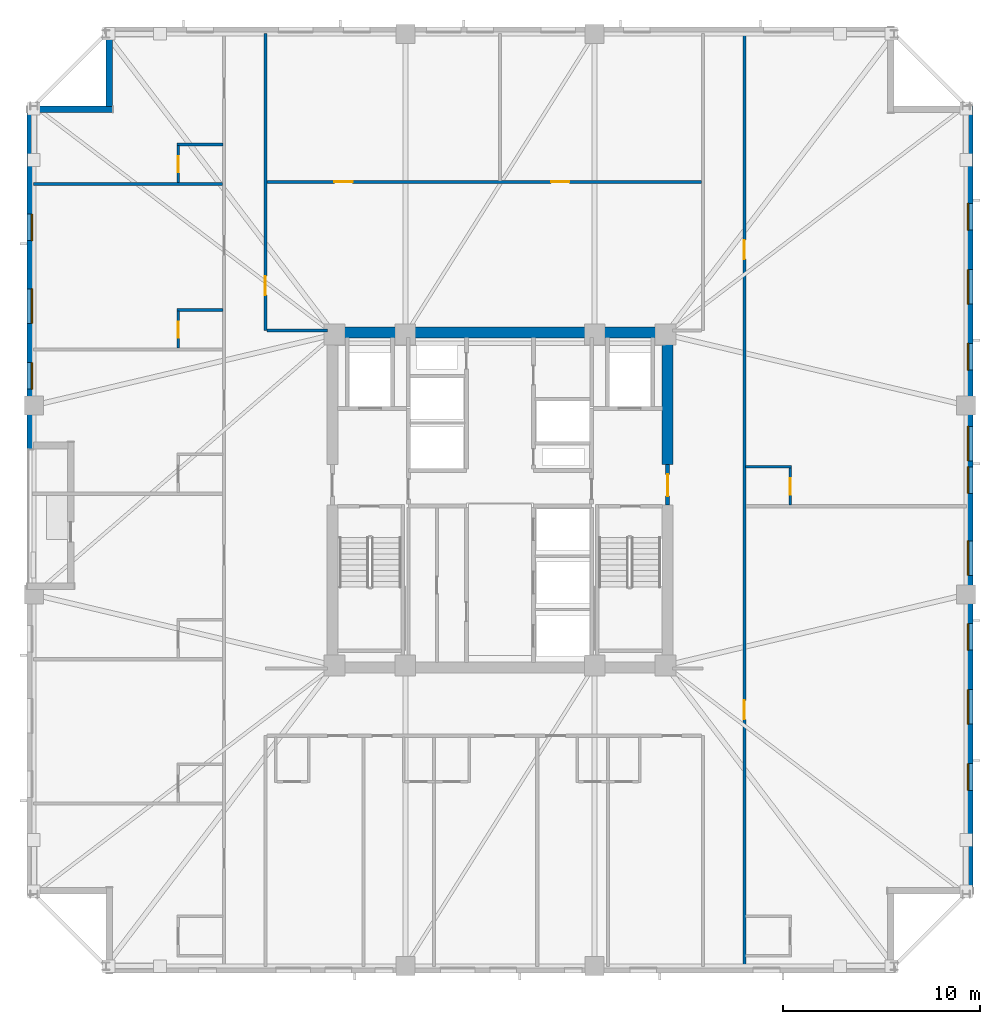
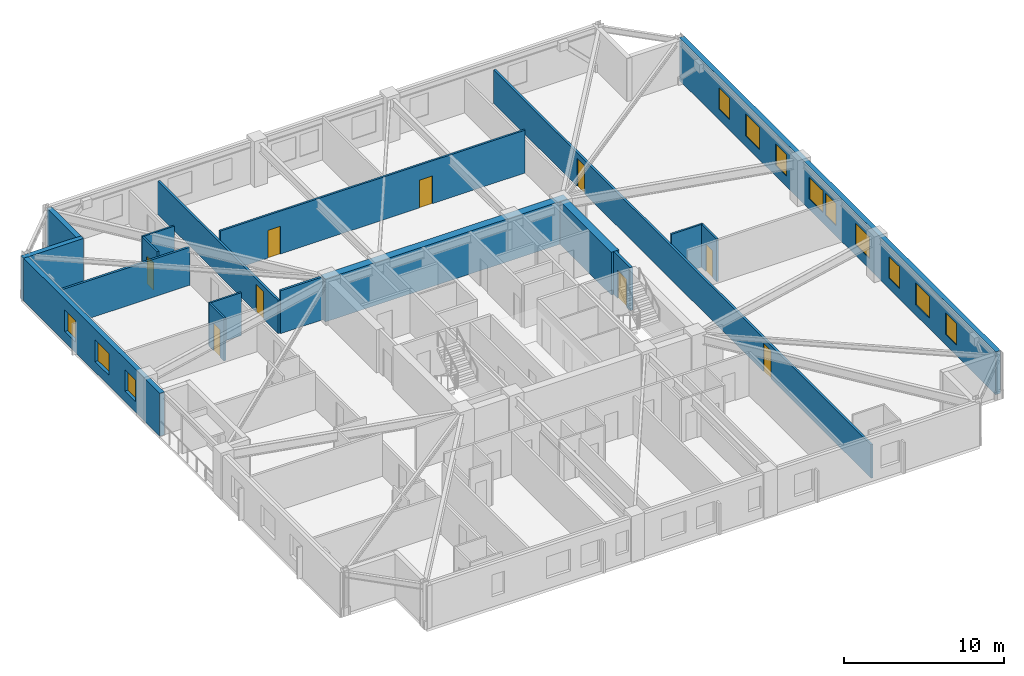
# One storey, part 5 of 11: 18 walls, 12 windows, 9 doors, 21 openings.
"""IFC4 building model written with IfcOpenShell, lengths in metres."""

from ifc_helpers import new_model, si_unit, direction, frame, frame_2d, origin, place, context, subcontext, project, spatial, rectangle, extrude, material, layer, layer_set, type_object, element, fill, save


model = new_model("IFC4")

# Units and contexts
model_context = context("Model", 3, precision=1e-05, world=origin(), true_north=direction((0.0, 1.0)))
body_context = subcontext(model_context, "Body", "Model", "MODEL_VIEW")
ifc_project = project(units=[si_unit("LENGTHUNIT", "METRE"), si_unit("AREAUNIT", "SQUARE_METRE"), si_unit("VOLUMEUNIT", "CUBIC_METRE"), si_unit("PLANEANGLEUNIT", "RADIAN"), si_unit("MASSUNIT", "GRAM", prefix="KILO")], contexts=[model_context])

# Site, building, storey
site_placement = place(None, origin())
site = spatial("IfcSite", under=ifc_project, at=site_placement, CompositionType="ELEMENT")
building_placement = place(site_placement, origin())
building = spatial("IfcBuilding", under=site, at=building_placement, Name="Cairnveth Concourse Tower", CompositionType="ELEMENT")
storey_placement = place(building_placement, frame((0.0, 0.0, 120.0)))
storey = spatial("IfcBuildingStorey", under=building, at=storey_placement, Name="L32", CompositionType="ELEMENT", Elevation=120.0)

# Wall, opening, door
ifc_material_1 = material(Name="Gypsum Plasterboard Partition", Category="gypsum")
ifc_layer_1 = layer(ifc_material_1, 0.159912109375)
ifc_layer_set_1 = layer_set([ifc_layer_1], Name="Gypsum Plasterboard Partition")
wall_type_1 = type_object("IfcWallType", Name="ACOUSTIC PARTY WALL 180", PredefinedType="PARTITIONING", material=ifc_layer_set_1)
wall_1_placement = place(storey_placement, frame((40.10009765625, 47.60009765625, 0.0), z_axis=(0.0, 0.0, 1.0), x_axis=(0.0, 1.0, 0.0)))
wall_1 = element("IfcWall", 1, at=wall_1_placement, inside=storey, type_object=wall_type_1, Name="Interior Wall IW-L32-038", PredefinedType="PARTITIONING", context=body_context, shape_type="SweptSolid", body=[
    extrude(rectangle(XDim=15.074951171875, YDim=0.159912109375, at=frame_2d((7.53759765625, 0.0))), origin(), (0.0, 0.0, 1.0), 2.554931640625),
])
opening_1_placement = place(wall_1_placement, frame((1.800048828125, 0.0, 0.0)))
opening_1 = element("IfcOpeningElement", 2, at=opening_1_placement, cuts=wall_1, Name="Opening ID11", PredefinedType="OPENING", context=body_context, shape_type="SweptSolid", body=[
    extrude(rectangle(XDim=0.9599609375, YDim=2.1201171875, at=frame_2d((0.47998046875, 1.06005859375))), frame((0.0, 0.08984375, 0.0), z_axis=(0.0, -1.0, 0.0), x_axis=(1.0, 0.0, 0.0)), (0.0, 0.0, 1.0), 0.179931640625),
])
ifc_material_2 = material(Name="Solid Core Hardwood Timber Leaf", Category="wood")
door_type_1 = type_object("IfcDoorType", Name="INTERIOR SINGLE DOOR 960X2150", OperationType="NOTDEFINED", PredefinedType="DOOR", material=ifc_material_2)
door_1_placement = place(opening_1_placement, origin())
door_1 = element("IfcDoor", 3, at=door_1_placement, inside=storey, type_object=door_type_1, Name="Interior Door DR-L32-015", OperationType="SINGLE_SWING_LEFT", OverallHeight=2.1201171875, OverallWidth=0.9599609375, PredefinedType="DOOR", context=body_context, shape_type="SweptSolid", body=[
    extrude(rectangle(XDim=0.9599609375, YDim=2.1201171875, at=frame_2d((0.47998046875, 1.06005859375))), frame((0.0, 0.02490234375, 0.0), z_axis=(0.0, -1.0, 0.0), x_axis=(1.0, 0.0, 0.0)), (0.0, 0.0, 1.0), 0.050048828125),
])
fill(opening_1, door_1)

# Wall
wall_2_placement = place(storey_placement, frame((40.1650390625, 47.60009765625, 0.0), z_axis=(0.0, 0.0, 1.0), x_axis=(1.0, 0.0, 0.0)))
element("IfcWall", 4, at=wall_2_placement, inside=storey, type_object=wall_type_1, Name="Interior Wall IW-L32-040", PredefinedType="PARTITIONING", context=body_context, shape_type="SweptSolid", body=[
    extrude(rectangle(XDim=3.070068359375, YDim=0.159912109375, at=frame_2d((1.53515625, 0.0))), origin(), (0.0, 0.0, 1.0), 3.280029296875),
])

# Wall, openings, doors
wall_3_placement = place(storey_placement, frame((64.39990234375, 15.324951171875, 0.0), z_axis=(0.0, 0.0, 1.0), x_axis=(0.0, 1.0, 0.0)))
wall_3 = element("IfcWall", 5, at=wall_3_placement, inside=storey, type_object=wall_type_1, Name="Interior Wall IW-L32-041", PredefinedType="PARTITIONING", context=body_context, shape_type="SweptSolid", body=[
    extrude(rectangle(XDim=47.35009765625, YDim=0.159912109375, at=frame_2d((23.675048828125, 0.0))), origin(), (0.0, 0.0, 1.0), 2.554931640625),
])
opening_2_placement = place(wall_3_placement, frame((12.546630859375, 0.0, 0.0)))
opening_2 = element("IfcOpeningElement", 6, at=opening_2_placement, cuts=wall_3, Name="Opening ID09", PredefinedType="OPENING", context=body_context, shape_type="SweptSolid", body=[
    extrude(rectangle(XDim=0.9599609375, YDim=2.14990234375, at=frame_2d((0.47998046875, 1.074951171875))), frame((0.0, 0.08984375, 0.0), z_axis=(0.0, -1.0, 0.0), x_axis=(1.0, 0.0, 0.0)), (0.0, 0.0, 1.0), 0.179931640625),
])
opening_3_placement = place(wall_3_placement, frame((35.901611328125, 0.0, 0.0)))
opening_3 = element("IfcOpeningElement", 7, at=opening_3_placement, cuts=wall_3, Name="Opening ID09", PredefinedType="OPENING", context=body_context, shape_type="SweptSolid", body=[
    extrude(rectangle(XDim=0.9599609375, YDim=2.14990234375, at=frame_2d((0.47998046875, 1.074951171875))), frame((0.0, 0.08984375, 0.0), z_axis=(0.0, -1.0, 0.0), x_axis=(1.0, 0.0, 0.0)), (0.0, 0.0, 1.0), 0.179931640625),
])
door_type_2 = type_object("IfcDoorType", Name="HOTEL ENTRANCE DOOR 960X2150", OperationType="NOTDEFINED", PredefinedType="DOOR", material=ifc_material_2)
door_2_placement = place(opening_2_placement, origin())
door_2 = element("IfcDoor", 8, at=door_2_placement, inside=storey, type_object=door_type_2, Name="Hotel Room Door L32-E1", OperationType="SINGLE_SWING_LEFT", OverallHeight=2.14990234375, OverallWidth=0.9599609375, PredefinedType="DOOR", context=body_context, shape_type="SweptSolid", body=[
    extrude(rectangle(XDim=0.9599609375, YDim=2.14990234375, at=frame_2d((0.47998046875, 1.074951171875))), frame((0.0, 0.02490234375, 0.0), z_axis=(0.0, -1.0, 0.0), x_axis=(1.0, 0.0, 0.0)), (0.0, 0.0, 1.0), 0.050048828125),
])
fill(opening_2, door_2)
door_3_placement = place(opening_3_placement, origin())
door_3 = element("IfcDoor", 9, at=door_3_placement, inside=storey, type_object=door_type_2, Name="Hotel Room Door L32-E2", OperationType="SINGLE_SWING_LEFT", OverallHeight=2.14990234375, OverallWidth=0.9599609375, PredefinedType="DOOR", context=body_context, shape_type="SweptSolid", body=[
    extrude(rectangle(XDim=0.9599609375, YDim=2.14990234375, at=frame_2d((0.47998046875, 1.074951171875))), frame((0.0, 0.02490234375, 0.0), z_axis=(0.0, -1.0, 0.0), x_axis=(1.0, 0.0, 0.0)), (0.0, 0.0, 1.0), 0.050048828125),
])
fill(opening_3, door_3)

# Walls
wall_4_placement = place(storey_placement, frame((28.324951171875, 55.036865234375, 0.0), z_axis=(0.0, 0.0, 1.0), x_axis=(1.0, 0.0, 0.0)))
element("IfcWall", 10, at=wall_4_placement, inside=storey, type_object=wall_type_1, Name="Interior Wall IW-L32-079", PredefinedType="PARTITIONING", context=body_context, shape_type="SweptSolid", body=[
    extrude(rectangle(XDim=9.594970703125, YDim=0.159912109375, at=frame_2d((4.79736328125, 0.0))), origin(), (0.0, 0.0, 1.0), 2.89599609375),
])
ifc_material_3 = material(Name="Concrete N80 (80 MPa)", Category="concrete")
ifc_layer_2 = layer(ifc_material_3, 0.550048828125)
ifc_layer_set_2 = layer_set([ifc_layer_2], Name="Concrete N80 (80 MPa)")
wall_type_2 = type_object("IfcWallType", Name="CORE SHEAR WALL 550", PredefinedType="SHEAR", material=ifc_layer_set_2)
wall_5_placement = place(storey_placement, frame((43.22509765625, 47.5, 0.0), z_axis=(0.0, 0.0, 1.0), x_axis=(1.0, 0.0, 0.0)))
element("IfcWall", 11, at=wall_5_placement, inside=storey, type_object=wall_type_2, Name="Core North Shear Wall L32", PredefinedType="SHEAR", context=body_context, shape_type="SweptSolid", body=[
    extrude(rectangle(XDim=17.5498046875, YDim=0.550048828125, at=frame_2d((8.77490234375, 0.0))), origin(), (0.0, 0.0, 1.0), 3.280029296875),
])
wall_6_placement = place(storey_placement, frame((60.5, 40.800048828125, 0.0), z_axis=(0.0, 0.0, 1.0), x_axis=(0.0, 1.0, 0.0)))
element("IfcWall", 12, at=wall_6_placement, inside=storey, type_object=wall_type_2, Name="Core East Shear Wall N L32", PredefinedType="SHEAR", context=body_context, shape_type="SweptSolid", body=[
    extrude(rectangle(XDim=6.43505859375, YDim=0.550048828125, at=frame_2d((3.217529296875, 0.0))), origin(), (0.0, 0.0, 1.0), 3.280029296875),
])

# Wall, opening, door
ifc_material_4 = material(Name="Concrete N50 (50 MPa)", Category="concrete")
ifc_layer_3 = layer(ifc_material_4, 0.199951171875)
ifc_layer_set_3 = layer_set([ifc_layer_3], Name="Concrete N50 (50 MPa)")
wall_type_3 = type_object("IfcWallType", Name="FIRE SHAFT WALL 200", PredefinedType="SOLIDWALL", material=ifc_layer_set_3)
wall_7_placement = place(storey_placement, frame((60.5, 38.75, 0.0), z_axis=(0.0, 0.0, 1.0), x_axis=(0.0, 1.0, 0.0)))
wall_7 = element("IfcWall", 13, at=wall_7_placement, inside=storey, type_object=wall_type_3, Name="Interior Wall IW-L32-020", PredefinedType="SOLIDWALL", context=body_context, shape_type="SweptSolid", body=[
    extrude(rectangle(XDim=2.050048828125, YDim=0.199951171875, at=frame_2d((1.02490234375, 0.0))), origin(), (0.0, 0.0, 1.0), 3.280029296875),
])
opening_4_placement = place(wall_7_placement, frame((0.449951171875, 0.0, 0.0)))
opening_4 = element("IfcOpeningElement", 14, at=opening_4_placement, cuts=wall_7, Name="Opening ID06", PredefinedType="OPENING", context=body_context, shape_type="SweptSolid", body=[
    extrude(rectangle(XDim=1.10009765625, YDim=2.14990234375, at=frame_2d((0.550048828125, 1.074951171875))), frame((0.0, 0.10986328125, 0.0), z_axis=(0.0, -1.0, 0.0), x_axis=(1.0, 0.0, 0.0)), (0.0, 0.0, 1.0), 0.219970703125),
])
ifc_material_5 = material(Name="Steel Grade 350", Category="steel")
door_type_3 = type_object("IfcDoorType", Name="FIRE CORRIDOR DOOR 1100X2150", OperationType="NOTDEFINED", PredefinedType="DOOR", material=ifc_material_5)
door_4_placement = place(opening_4_placement, origin())
door_4 = element("IfcDoor", 15, at=door_4_placement, inside=storey, type_object=door_type_3, Name="East Wing to FF Lobby Door L32", OperationType="SINGLE_SWING_RIGHT", OverallHeight=2.14990234375, OverallWidth=1.10009765625, PredefinedType="DOOR", context=body_context, shape_type="SweptSolid", body=[
    extrude(rectangle(XDim=1.10009765625, YDim=2.14990234375, at=frame_2d((0.550048828125, 1.074951171875))), frame((0.0, 0.02490234375, 0.0), z_axis=(0.0, -1.0, 0.0), x_axis=(1.0, 0.0, 0.0)), (0.0, 0.0, 1.0), 0.050048828125),
])
fill(opening_4, door_4)

# Wall, openings, doors
ifc_layer_4 = layer(ifc_material_1, 0.139892578125)
ifc_layer_set_4 = layer_set([ifc_layer_4], Name="Gypsum Plasterboard Partition")
wall_type_4 = type_object("IfcWallType", Name="GYPSUM STUD PARTITION 140", PredefinedType="PARTITIONING", material=ifc_layer_set_4)
wall_8_placement = place(storey_placement, frame((40.1650390625, 55.139892578125, 0.0), z_axis=(0.0, 0.0, 1.0), x_axis=(1.0, 0.0, 0.0)))
wall_8 = element("IfcWall", 16, at=wall_8_placement, inside=storey, type_object=wall_type_4, Name="Interior Wall IW-L32-047", PredefinedType="PARTITIONING", context=body_context, shape_type="SweptSolid", body=[
    extrude(rectangle(XDim=22.070068359375, YDim=0.139892578125, at=frame_2d((11.03515625, 0.0))), origin(), (0.0, 0.0, 1.0), 3.280029296875),
])
opening_5_placement = place(wall_8_placement, frame((3.43505859375, 0.0, 0.0)))
opening_5 = element("IfcOpeningElement", 17, at=opening_5_placement, cuts=wall_8, Name="Opening ID15", PredefinedType="OPENING", context=body_context, shape_type="SweptSolid", body=[
    extrude(rectangle(XDim=0.919921875, YDim=2.1201171875, at=frame_2d((0.4599609375, 1.06005859375))), frame((0.0, 0.079833984375, 0.0), z_axis=(0.0, -1.0, 0.0), x_axis=(1.0, 0.0, 0.0)), (0.0, 0.0, 1.0), 0.159912109375),
])
opening_6_placement = place(wall_8_placement, frame((14.43505859375, 0.0, 0.0)))
opening_6 = element("IfcOpeningElement", 18, at=opening_6_placement, cuts=wall_8, Name="Opening ID15", PredefinedType="OPENING", context=body_context, shape_type="SweptSolid", body=[
    extrude(rectangle(XDim=0.919921875, YDim=2.1201171875, at=frame_2d((0.4599609375, 1.06005859375))), frame((0.0, 0.079833984375, 0.0), z_axis=(0.0, -1.0, 0.0), x_axis=(1.0, 0.0, 0.0)), (0.0, 0.0, 1.0), 0.159912109375),
])
door_type_4 = type_object("IfcDoorType", Name="INTERIOR SINGLE DOOR 920X2100", OperationType="NOTDEFINED", PredefinedType="DOOR", material=ifc_material_2)
door_5_placement = place(opening_5_placement, origin())
door_5 = element("IfcDoor", 19, at=door_5_placement, inside=storey, type_object=door_type_4, Name="Interior Door DR-L32-016", OperationType="SINGLE_SWING_RIGHT", OverallHeight=2.1201171875, OverallWidth=0.919921875, PredefinedType="DOOR", context=body_context, shape_type="SweptSolid", body=[
    extrude(rectangle(XDim=0.919921875, YDim=2.1201171875, at=frame_2d((0.4599609375, 1.06005859375))), frame((0.0, 0.02490234375, 0.0), z_axis=(0.0, -1.0, 0.0), x_axis=(1.0, 0.0, 0.0)), (0.0, 0.0, 1.0), 0.050048828125),
])
fill(opening_5, door_5)
door_6_placement = place(opening_6_placement, origin())
door_6 = element("IfcDoor", 20, at=door_6_placement, inside=storey, type_object=door_type_4, Name="Interior Door DR-L32-017", OperationType="SINGLE_SWING_LEFT", OverallHeight=2.1201171875, OverallWidth=0.919921875, PredefinedType="DOOR", context=body_context, shape_type="SweptSolid", body=[
    extrude(rectangle(XDim=0.919921875, YDim=2.1201171875, at=frame_2d((0.4599609375, 1.06005859375))), frame((0.0, 0.02490234375, 0.0), z_axis=(0.0, -1.0, 0.0), x_axis=(1.0, 0.0, 0.0)), (0.0, 0.0, 1.0), 0.050048828125),
])
fill(opening_6, door_6)

# Wall
ifc_layer_5 = layer(ifc_material_1, 0.1298828125)
ifc_layer_set_5 = layer_set([ifc_layer_5], Name="Gypsum Plasterboard Partition")
wall_type_5 = type_object("IfcWallType", Name="WET AREA PARTITION 140", PredefinedType="PLUMBINGWALL", material=ifc_layer_set_5)
wall_9_placement = place(storey_placement, frame((35.6201171875, 48.640625, 0.0), z_axis=(0.0, 0.0, 1.0), x_axis=(1.0, 0.0, 0.0)))
element("IfcWall", 21, at=wall_9_placement, inside=storey, type_object=wall_type_5, Name="Interior Wall IW-L32-077", PredefinedType="PLUMBINGWALL", context=body_context, shape_type="SweptSolid", body=[
    extrude(rectangle(XDim=2.31494140625, YDim=0.1298828125, at=frame_2d((1.157470703125, 0.0))), origin(), (0.0, 0.0, 1.0), 3.280029296875),
])

# Wall, opening, door
wall_10_placement = place(storey_placement, frame((35.669921875, 46.70556640625, 0.0), z_axis=(0.0, 0.0, 1.0), x_axis=(0.0, 1.0, 0.0)))
wall_10 = element("IfcWall", 22, at=wall_10_placement, inside=storey, type_object=wall_type_5, Name="Interior Wall IW-L32-078", PredefinedType="PLUMBINGWALL", context=body_context, shape_type="SweptSolid", body=[
    extrude(rectangle(XDim=1.885009765625, YDim=0.1298828125, at=frame_2d((0.9423828125, 0.0))), origin(), (0.0, 0.0, 1.0), 3.280029296875),
])
opening_7_placement = place(wall_10_placement, frame((0.52490234375, 0.0, 0.0)))
opening_7 = element("IfcOpeningElement", 23, at=opening_7_placement, cuts=wall_10, Name="Opening ID22", PredefinedType="OPENING", context=body_context, shape_type="SweptSolid", body=[
    extrude(rectangle(XDim=0.820068359375, YDim=2.10009765625, at=frame_2d((0.41015625, 1.050048828125))), frame((0.0, 0.074951171875, 0.0), z_axis=(0.0, -1.0, 0.0), x_axis=(1.0, 0.0, 0.0)), (0.0, 0.0, 1.0), 0.14990234375),
])
door_type_5 = type_object("IfcDoorType", Name="INTERIOR WC DOOR 820X2100", OperationType="NOTDEFINED", PredefinedType="DOOR", material=ifc_material_2)
door_7_placement = place(opening_7_placement, origin())
door_7 = element("IfcDoor", 24, at=door_7_placement, inside=storey, type_object=door_type_5, Name="En-Suite Door L32-W5", OperationType="SINGLE_SWING_RIGHT", OverallHeight=2.10009765625, OverallWidth=0.820068359375, PredefinedType="DOOR", context=body_context, shape_type="SweptSolid", body=[
    extrude(rectangle(XDim=0.820068359375, YDim=2.10009765625, at=frame_2d((0.41015625, 1.050048828125))), frame((0.0, 0.02490234375, 0.0), z_axis=(0.0, -1.0, 0.0), x_axis=(1.0, 0.0, 0.0)), (0.0, 0.0, 1.0), 0.050048828125),
])
fill(opening_7, door_7)

# Wall
wall_11_placement = place(storey_placement, frame((35.6201171875, 57.036865234375, 0.0), z_axis=(0.0, 0.0, 1.0), x_axis=(1.0, 0.0, 0.0)))
element("IfcWall", 25, at=wall_11_placement, inside=storey, type_object=wall_type_5, Name="Interior Wall IW-L32-080", PredefinedType="PLUMBINGWALL", context=body_context, shape_type="SweptSolid", body=[
    extrude(rectangle(XDim=2.31494140625, YDim=0.1298828125, at=frame_2d((1.157470703125, 0.0))), origin(), (0.0, 0.0, 1.0), 3.280029296875),
])

# Wall, opening, door
wall_12_placement = place(storey_placement, frame((35.669921875, 55.101806640625, 0.0), z_axis=(0.0, 0.0, 1.0), x_axis=(0.0, 1.0, 0.0)))
wall_12 = element("IfcWall", 26, at=wall_12_placement, inside=storey, type_object=wall_type_5, Name="Interior Wall IW-L32-081", PredefinedType="PLUMBINGWALL", context=body_context, shape_type="SweptSolid", body=[
    extrude(rectangle(XDim=1.885009765625, YDim=0.1298828125, at=frame_2d((0.9423828125, 0.0))), origin(), (0.0, 0.0, 1.0), 3.280029296875),
])
opening_8_placement = place(wall_12_placement, frame((0.52490234375, 0.0, 0.0)))
opening_8 = element("IfcOpeningElement", 27, at=opening_8_placement, cuts=wall_12, Name="Opening ID22", PredefinedType="OPENING", context=body_context, shape_type="SweptSolid", body=[
    extrude(rectangle(XDim=0.820068359375, YDim=2.10009765625, at=frame_2d((0.41015625, 1.050048828125))), frame((0.0, 0.074951171875, 0.0), z_axis=(0.0, -1.0, 0.0), x_axis=(1.0, 0.0, 0.0)), (0.0, 0.0, 1.0), 0.14990234375),
])
door_8_placement = place(opening_8_placement, origin())
door_8 = element("IfcDoor", 28, at=door_8_placement, inside=storey, type_object=door_type_5, Name="En-Suite Door L32-W6", OperationType="SINGLE_SWING_RIGHT", OverallHeight=2.10009765625, OverallWidth=0.820068359375, PredefinedType="DOOR", context=body_context, shape_type="SweptSolid", body=[
    extrude(rectangle(XDim=0.820068359375, YDim=2.10009765625, at=frame_2d((0.41015625, 1.050048828125))), frame((0.0, 0.02490234375, 0.0), z_axis=(0.0, -1.0, 0.0), x_axis=(1.0, 0.0, 0.0)), (0.0, 0.0, 1.0), 0.050048828125),
])
fill(opening_8, door_8)

# Wall
wall_13_placement = place(storey_placement, frame((64.465087890625, 40.68310546875, 0.0), z_axis=(0.0, 0.0, 1.0), x_axis=(1.0, 0.0, 0.0)))
element("IfcWall", 29, at=wall_13_placement, inside=storey, type_object=wall_type_5, Name="Interior Wall IW-L32-086", PredefinedType="PLUMBINGWALL", context=body_context, shape_type="SweptSolid", body=[
    extrude(rectangle(XDim=2.31494140625, YDim=0.1298828125, at=frame_2d((1.157470703125, 0.0))), origin(), (0.0, 0.0, 1.0), 3.280029296875),
])

# Wall, opening, door
wall_14_placement = place(storey_placement, frame((66.72998046875, 38.748046875, 0.0), z_axis=(0.0, 0.0, 1.0), x_axis=(0.0, 1.0, 0.0)))
wall_14 = element("IfcWall", 30, at=wall_14_placement, inside=storey, type_object=wall_type_5, Name="Interior Wall IW-L32-087", PredefinedType="PLUMBINGWALL", context=body_context, shape_type="SweptSolid", body=[
    extrude(rectangle(XDim=1.885009765625, YDim=0.1298828125, at=frame_2d((0.9423828125, 0.0))), origin(), (0.0, 0.0, 1.0), 3.280029296875),
])
opening_9_placement = place(wall_14_placement, frame((0.52490234375, 0.0, 0.0)))
opening_9 = element("IfcOpeningElement", 31, at=opening_9_placement, cuts=wall_14, Name="Opening ID22", PredefinedType="OPENING", context=body_context, shape_type="SweptSolid", body=[
    extrude(rectangle(XDim=0.820068359375, YDim=2.10009765625, at=frame_2d((0.41015625, 1.050048828125))), frame((0.0, 0.074951171875, 0.0), z_axis=(0.0, -1.0, 0.0), x_axis=(1.0, 0.0, 0.0)), (0.0, 0.0, 1.0), 0.14990234375),
])
door_9_placement = place(opening_9_placement, origin())
door_9 = element("IfcDoor", 32, at=door_9_placement, inside=storey, type_object=door_type_5, Name="En-Suite Door L32-E2", OperationType="SINGLE_SWING_RIGHT", OverallHeight=2.10009765625, OverallWidth=0.820068359375, PredefinedType="DOOR", context=body_context, shape_type="SweptSolid", body=[
    extrude(rectangle(XDim=0.820068359375, YDim=2.10009765625, at=frame_2d((0.41015625, 1.050048828125))), frame((0.0, 0.02490234375, 0.0), z_axis=(0.0, -1.0, 0.0), x_axis=(1.0, 0.0, 0.0)), (0.0, 0.0, 1.0), 0.050048828125),
])
fill(opening_9, door_9)

# Wall, openings, windows
ifc_material_6 = material(Name="Hawthorn Red-Ochre Fired Clay Brick Masonry", Category="masonry")
ifc_layer_6 = layer(ifc_material_6, 0.340087890625)
ifc_layer_set_6 = layer_set([ifc_layer_6], Name="Hawthorn Red-Ochre Fired Clay Brick Masonry")
wall_type_6 = type_object("IfcWallType", Name="ZONE 2 BRICK PIER SPANDREL WALL 340", PredefinedType="SOLIDWALL", material=ifc_layer_set_6)
wall_15_placement = place(storey_placement, frame((28.169921875, 41.60009765625, 0.0), z_axis=(0.0, 0.0, 1.0), x_axis=(0.0, 1.0, 0.0)))
wall_15 = element("IfcWall", 33, at=wall_15_placement, inside=storey, type_object=wall_type_6, Name="Exterior Wall EW-L32-S00", PredefinedType="SOLIDWALL", context=body_context, shape_type="SweptSolid", body=[
    extrude(rectangle(XDim=17.081787109375, YDim=0.340087890625, at=frame_2d((8.541015625, 0.0))), origin(), (0.0, 0.0, 1.0), 3.280029296875),
])
opening_10_placement = place(wall_15_placement, frame((3.02197265625, 0.0, 0.800048828125)))
opening_10 = element("IfcOpeningElement", 34, at=opening_10_placement, cuts=wall_15, Name="Opening W02", PredefinedType="OPENING", context=body_context, shape_type="SweptSolid", body=[
    extrude(rectangle(XDim=1.35009765625, YDim=1.659912109375, at=frame_2d((0.675048828125, 0.830078125))), frame((0.0, 0.179931640625, 0.0), z_axis=(0.0, -1.0, 0.0), x_axis=(1.0, 0.0, 0.0)), (0.0, 0.0, 1.0), 0.360107421875),
])
opening_11_placement = place(wall_15_placement, frame((6.365966796875, 0.0, 0.800048828125)))
opening_11 = element("IfcOpeningElement", 35, at=opening_11_placement, cuts=wall_15, Name="Opening W06", PredefinedType="OPENING", context=body_context, shape_type="SweptSolid", body=[
    extrude(rectangle(XDim=1.75, YDim=1.659912109375, at=frame_2d((0.875, 0.830078125))), frame((0.0, 0.179931640625, 0.0), z_axis=(0.0, -1.0, 0.0), x_axis=(1.0, 0.0, 0.0)), (0.0, 0.0, 1.0), 0.360107421875),
])
opening_12_placement = place(wall_15_placement, frame((10.56005859375, 0.0, 0.800048828125)))
opening_12 = element("IfcOpeningElement", 36, at=opening_12_placement, cuts=wall_15, Name="Opening W02", PredefinedType="OPENING", context=body_context, shape_type="SweptSolid", body=[
    extrude(rectangle(XDim=1.35009765625, YDim=1.659912109375, at=frame_2d((0.675048828125, 0.830078125))), frame((0.0, 0.179931640625, 0.0), z_axis=(0.0, -1.0, 0.0), x_axis=(1.0, 0.0, 0.0)), (0.0, 0.0, 1.0), 0.360107421875),
])
ifc_material_7 = material(Name="Double Glazed Low-E Clear Glass", Category="glass")
window_type_1 = type_object("IfcWindowType", Name="DEEP-SET GOTHIC LANCET WINDOW 1350X1800", PartitioningType="DOUBLE_PANEL_VERTICAL", PredefinedType="WINDOW", material=ifc_material_7)
window_1_placement = place(opening_10_placement, origin())
window_1 = element("IfcWindow", 37, at=window_1_placement, inside=storey, type_object=window_type_1, Name="Gothic Lancet Window L32-0-1", OverallHeight=1.659912109375, OverallWidth=1.35009765625, PartitioningType="SINGLE_PANEL", PredefinedType="WINDOW", context=body_context, shape_type="SweptSolid", body=[
    extrude(rectangle(XDim=1.35009765625, YDim=1.659912109375, at=frame_2d((0.675048828125, 0.830078125))), frame((0.0, -0.050048828125, 0.0), z_axis=(0.0, -1.0, 0.0), x_axis=(1.0, 0.0, 0.0)), (0.0, 0.0, 1.0), 0.06005859375),
])
fill(opening_10, window_1)
window_2_placement = place(opening_12_placement, origin())
window_2 = element("IfcWindow", 38, at=window_2_placement, inside=storey, type_object=window_type_1, Name="Gothic Lancet Window L32-0-3", OverallHeight=1.659912109375, OverallWidth=1.35009765625, PartitioningType="SINGLE_PANEL", PredefinedType="WINDOW", context=body_context, shape_type="SweptSolid", body=[
    extrude(rectangle(XDim=1.35009765625, YDim=1.659912109375, at=frame_2d((0.675048828125, 0.830078125))), frame((0.0, -0.050048828125, 0.0), z_axis=(0.0, -1.0, 0.0), x_axis=(1.0, 0.0, 0.0)), (0.0, 0.0, 1.0), 0.06005859375),
])
fill(opening_12, window_2)
window_type_2 = type_object("IfcWindowType", Name="DEEP-SET HOTEL SUITE WINDOW 1750X1800", PartitioningType="DOUBLE_PANEL_VERTICAL", PredefinedType="WINDOW", material=ifc_material_7)
window_3_placement = place(opening_11_placement, origin())
window_3 = element("IfcWindow", 39, at=window_3_placement, inside=storey, type_object=window_type_2, Name="Gothic Lancet Window L32-0-2", OverallHeight=1.659912109375, OverallWidth=1.75, PartitioningType="SINGLE_PANEL", PredefinedType="WINDOW", context=body_context, shape_type="SweptSolid", body=[
    extrude(rectangle(XDim=1.75, YDim=1.659912109375, at=frame_2d((0.875, 0.830078125))), frame((0.0, -0.050048828125, 0.0), z_axis=(0.0, -1.0, 0.0), x_axis=(1.0, 0.0, 0.0)), (0.0, 0.0, 1.0), 0.06005859375),
])
fill(opening_11, window_3)

# Walls
wall_16_placement = place(storey_placement, frame((28.0, 58.830078125, 0.0), z_axis=(0.0, 0.0, 1.0), x_axis=(1.0, 0.0, 0.0)))
element("IfcWall", 40, at=wall_16_placement, inside=storey, type_object=wall_type_6, Name="Exterior Wall EW-L32-S01", PredefinedType="SOLIDWALL", context=body_context, shape_type="SweptSolid", body=[
    extrude(rectangle(XDim=4.340087890625, YDim=0.340087890625, at=frame_2d((2.169921875, 0.0))), origin(), (0.0, 0.0, 1.0), 3.280029296875),
])
wall_17_placement = place(storey_placement, frame((32.169921875, 58.97802734375, 0.0), z_axis=(0.0, 0.0, 1.0), x_axis=(0.0, 1.0, 0.0)))
element("IfcWall", 41, at=wall_17_placement, inside=storey, type_object=wall_type_6, Name="Exterior Wall EW-L32-S02", PredefinedType="SOLIDWALL", context=body_context, shape_type="SweptSolid", body=[
    extrude(rectangle(XDim=3.703857421875, YDim=0.340087890625, at=frame_2d((1.85205078125, 0.0))), origin(), (0.0, 0.0, 1.0), 3.280029296875),
])

# Wall, openings, windows
wall_18_placement = place(storey_placement, frame((75.830078125, 59.0, 0.0), z_axis=(0.0, 0.0, 1.0), x_axis=(0.0, -1.0, 0.0)))
wall_18 = element("IfcWall", 42, at=wall_18_placement, inside=storey, type_object=wall_type_6, Name="Exterior Wall EW-L32-S06", PredefinedType="SOLIDWALL", context=body_context, shape_type="SweptSolid", body=[
    extrude(rectangle(XDim=39.681884765625, YDim=0.340087890625, at=frame_2d((19.8408203125, 0.0))), origin(), (0.0, 0.0, 1.0), 3.280029296875),
])
opening_13_placement = place(wall_18_placement, frame((4.951904296875, 0.0, 0.800048828125)))
opening_13 = element("IfcOpeningElement", 43, at=opening_13_placement, cuts=wall_18, Name="Opening W02", PredefinedType="OPENING", context=body_context, shape_type="SweptSolid", body=[
    extrude(rectangle(XDim=1.35009765625, YDim=1.659912109375, at=frame_2d((0.675048828125, 0.830078125))), frame((0.0, 0.179931640625, 0.0), z_axis=(0.0, -1.0, 0.0), x_axis=(1.0, 0.0, 0.0)), (0.0, 0.0, 1.0), 0.360107421875),
])
opening_14_placement = place(wall_18_placement, frame((8.305419921875, 0.0, 0.800048828125)))
opening_14 = element("IfcOpeningElement", 44, at=opening_14_placement, cuts=wall_18, Name="Opening W06", PredefinedType="OPENING", context=body_context, shape_type="SweptSolid", body=[
    extrude(rectangle(XDim=1.75, YDim=1.659912109375, at=frame_2d((0.875, 0.830078125))), frame((0.0, 0.179931640625, 0.0), z_axis=(0.0, -1.0, 0.0), x_axis=(1.0, 0.0, 0.0)), (0.0, 0.0, 1.0), 0.360107421875),
])
opening_15_placement = place(wall_18_placement, frame((12.058837890625, 0.0, 0.800048828125)))
opening_15 = element("IfcOpeningElement", 45, at=opening_15_placement, cuts=wall_18, Name="Opening W02", PredefinedType="OPENING", context=body_context, shape_type="SweptSolid", body=[
    extrude(rectangle(XDim=1.35009765625, YDim=1.659912109375, at=frame_2d((0.675048828125, 0.830078125))), frame((0.0, 0.179931640625, 0.0), z_axis=(0.0, -1.0, 0.0), x_axis=(1.0, 0.0, 0.0)), (0.0, 0.0, 1.0), 0.360107421875),
])
opening_16_placement = place(wall_18_placement, frame((16.262451171875, 0.0, 0.800048828125)))
opening_16 = element("IfcOpeningElement", 46, at=opening_16_placement, cuts=wall_18, Name="Opening W06", PredefinedType="OPENING", context=body_context, shape_type="SweptSolid", body=[
    extrude(rectangle(XDim=1.75, YDim=1.659912109375, at=frame_2d((0.875, 0.830078125))), frame((0.0, 0.179931640625, 0.0), z_axis=(0.0, -1.0, 0.0), x_axis=(1.0, 0.0, 0.0)), (0.0, 0.0, 1.0), 0.360107421875),
])
opening_17_placement = place(wall_18_placement, frame((18.31591796875, 0.0, 0.800048828125)))
opening_17 = element("IfcOpeningElement", 47, at=opening_17_placement, cuts=wall_18, Name="Opening W02", PredefinedType="OPENING", context=body_context, shape_type="SweptSolid", body=[
    extrude(rectangle(XDim=1.35009765625, YDim=1.659912109375, at=frame_2d((0.675048828125, 0.830078125))), frame((0.0, 0.179931640625, 0.0), z_axis=(0.0, -1.0, 0.0), x_axis=(1.0, 0.0, 0.0)), (0.0, 0.0, 1.0), 0.360107421875),
])
opening_18_placement = place(wall_18_placement, frame((22.069580078125, 0.0, 0.800048828125)))
opening_18 = element("IfcOpeningElement", 48, at=opening_18_placement, cuts=wall_18, Name="Opening W06", PredefinedType="OPENING", context=body_context, shape_type="SweptSolid", body=[
    extrude(rectangle(XDim=1.75, YDim=1.659912109375, at=frame_2d((0.875, 0.830078125))), frame((0.0, 0.179931640625, 0.0), z_axis=(0.0, -1.0, 0.0), x_axis=(1.0, 0.0, 0.0)), (0.0, 0.0, 1.0), 0.360107421875),
])
opening_19_placement = place(wall_18_placement, frame((26.273193359375, 0.0, 0.800048828125)))
opening_19 = element("IfcOpeningElement", 49, at=opening_19_placement, cuts=wall_18, Name="Opening W02", PredefinedType="OPENING", context=body_context, shape_type="SweptSolid", body=[
    extrude(rectangle(XDim=1.35009765625, YDim=1.659912109375, at=frame_2d((0.675048828125, 0.830078125))), frame((0.0, 0.179931640625, 0.0), z_axis=(0.0, -1.0, 0.0), x_axis=(1.0, 0.0, 0.0)), (0.0, 0.0, 1.0), 0.360107421875),
])
opening_20_placement = place(wall_18_placement, frame((29.626708984375, 0.0, 0.800048828125)))
opening_20 = element("IfcOpeningElement", 50, at=opening_20_placement, cuts=wall_18, Name="Opening W06", PredefinedType="OPENING", context=body_context, shape_type="SweptSolid", body=[
    extrude(rectangle(XDim=1.75, YDim=1.659912109375, at=frame_2d((0.875, 0.830078125))), frame((0.0, 0.179931640625, 0.0), z_axis=(0.0, -1.0, 0.0), x_axis=(1.0, 0.0, 0.0)), (0.0, 0.0, 1.0), 0.360107421875),
])
opening_21_placement = place(wall_18_placement, frame((33.380126953125, 0.0, 0.800048828125)))
opening_21 = element("IfcOpeningElement", 51, at=opening_21_placement, cuts=wall_18, Name="Opening W02", PredefinedType="OPENING", context=body_context, shape_type="SweptSolid", body=[
    extrude(rectangle(XDim=1.35009765625, YDim=1.659912109375, at=frame_2d((0.675048828125, 0.830078125))), frame((0.0, 0.179931640625, 0.0), z_axis=(0.0, -1.0, 0.0), x_axis=(1.0, 0.0, 0.0)), (0.0, 0.0, 1.0), 0.360107421875),
])
window_4_placement = place(opening_13_placement, origin())
window_4 = element("IfcWindow", 52, at=window_4_placement, inside=storey, type_object=window_type_1, Name="Gothic Lancet Window L32-6-1", OverallHeight=1.659912109375, OverallWidth=1.35009765625, PartitioningType="SINGLE_PANEL", PredefinedType="WINDOW", context=body_context, shape_type="SweptSolid", body=[
    extrude(rectangle(XDim=1.35009765625, YDim=1.659912109375, at=frame_2d((0.675048828125, 0.830078125))), frame((0.0, -0.050048828125, 0.0), z_axis=(0.0, -1.0, 0.0), x_axis=(1.0, 0.0, 0.0)), (0.0, 0.0, 1.0), 0.06005859375),
])
fill(opening_13, window_4)
window_5_placement = place(opening_15_placement, origin())
window_5 = element("IfcWindow", 53, at=window_5_placement, inside=storey, type_object=window_type_1, Name="Gothic Lancet Window L32-6-3", OverallHeight=1.659912109375, OverallWidth=1.35009765625, PartitioningType="SINGLE_PANEL", PredefinedType="WINDOW", context=body_context, shape_type="SweptSolid", body=[
    extrude(rectangle(XDim=1.35009765625, YDim=1.659912109375, at=frame_2d((0.675048828125, 0.830078125))), frame((0.0, -0.050048828125, 0.0), z_axis=(0.0, -1.0, 0.0), x_axis=(1.0, 0.0, 0.0)), (0.0, 0.0, 1.0), 0.06005859375),
])
fill(opening_15, window_5)
window_6_placement = place(opening_17_placement, origin())
window_6 = element("IfcWindow", 54, at=window_6_placement, inside=storey, type_object=window_type_1, Name="Gothic Lancet Window L32-6-5", OverallHeight=1.659912109375, OverallWidth=1.35009765625, PartitioningType="SINGLE_PANEL", PredefinedType="WINDOW", context=body_context, shape_type="SweptSolid", body=[
    extrude(rectangle(XDim=1.35009765625, YDim=1.659912109375, at=frame_2d((0.675048828125, 0.830078125))), frame((0.0, -0.050048828125, 0.0), z_axis=(0.0, -1.0, 0.0), x_axis=(1.0, 0.0, 0.0)), (0.0, 0.0, 1.0), 0.06005859375),
])
fill(opening_17, window_6)
window_7_placement = place(opening_19_placement, origin())
window_7 = element("IfcWindow", 55, at=window_7_placement, inside=storey, type_object=window_type_1, Name="Gothic Lancet Window L32-6-7", OverallHeight=1.659912109375, OverallWidth=1.35009765625, PartitioningType="SINGLE_PANEL", PredefinedType="WINDOW", context=body_context, shape_type="SweptSolid", body=[
    extrude(rectangle(XDim=1.35009765625, YDim=1.659912109375, at=frame_2d((0.675048828125, 0.830078125))), frame((0.0, -0.050048828125, 0.0), z_axis=(0.0, -1.0, 0.0), x_axis=(1.0, 0.0, 0.0)), (0.0, 0.0, 1.0), 0.06005859375),
])
fill(opening_19, window_7)
window_8_placement = place(opening_21_placement, origin())
window_8 = element("IfcWindow", 56, at=window_8_placement, inside=storey, type_object=window_type_1, Name="Gothic Lancet Window L32-6-9", OverallHeight=1.659912109375, OverallWidth=1.35009765625, PartitioningType="SINGLE_PANEL", PredefinedType="WINDOW", context=body_context, shape_type="SweptSolid", body=[
    extrude(rectangle(XDim=1.35009765625, YDim=1.659912109375, at=frame_2d((0.675048828125, 0.830078125))), frame((0.0, -0.050048828125, 0.0), z_axis=(0.0, -1.0, 0.0), x_axis=(1.0, 0.0, 0.0)), (0.0, 0.0, 1.0), 0.06005859375),
])
fill(opening_21, window_8)
window_9_placement = place(opening_14_placement, origin())
window_9 = element("IfcWindow", 57, at=window_9_placement, inside=storey, type_object=window_type_2, Name="Gothic Lancet Window L32-6-2", OverallHeight=1.659912109375, OverallWidth=1.75, PartitioningType="SINGLE_PANEL", PredefinedType="WINDOW", context=body_context, shape_type="SweptSolid", body=[
    extrude(rectangle(XDim=1.75, YDim=1.659912109375, at=frame_2d((0.875, 0.830078125))), frame((0.0, -0.050048828125, 0.0), z_axis=(0.0, -1.0, 0.0), x_axis=(1.0, 0.0, 0.0)), (0.0, 0.0, 1.0), 0.06005859375),
])
fill(opening_14, window_9)
window_10_placement = place(opening_16_placement, origin())
window_10 = element("IfcWindow", 58, at=window_10_placement, inside=storey, type_object=window_type_2, Name="Gothic Lancet Window L32-6-4", OverallHeight=1.659912109375, OverallWidth=1.75, PartitioningType="SINGLE_PANEL", PredefinedType="WINDOW", context=body_context, shape_type="SweptSolid", body=[
    extrude(rectangle(XDim=1.75, YDim=1.659912109375, at=frame_2d((0.875, 0.830078125))), frame((0.0, -0.050048828125, 0.0), z_axis=(0.0, -1.0, 0.0), x_axis=(1.0, 0.0, 0.0)), (0.0, 0.0, 1.0), 0.06005859375),
])
fill(opening_16, window_10)
window_11_placement = place(opening_18_placement, origin())
window_11 = element("IfcWindow", 59, at=window_11_placement, inside=storey, type_object=window_type_2, Name="Gothic Lancet Window L32-6-6", OverallHeight=1.659912109375, OverallWidth=1.75, PartitioningType="SINGLE_PANEL", PredefinedType="WINDOW", context=body_context, shape_type="SweptSolid", body=[
    extrude(rectangle(XDim=1.75, YDim=1.659912109375, at=frame_2d((0.875, 0.830078125))), frame((0.0, -0.050048828125, 0.0), z_axis=(0.0, -1.0, 0.0), x_axis=(1.0, 0.0, 0.0)), (0.0, 0.0, 1.0), 0.06005859375),
])
fill(opening_18, window_11)
window_12_placement = place(opening_20_placement, origin())
window_12 = element("IfcWindow", 60, at=window_12_placement, inside=storey, type_object=window_type_2, Name="Gothic Lancet Window L32-6-8", OverallHeight=1.659912109375, OverallWidth=1.75, PartitioningType="SINGLE_PANEL", PredefinedType="WINDOW", context=body_context, shape_type="SweptSolid", body=[
    extrude(rectangle(XDim=1.75, YDim=1.659912109375, at=frame_2d((0.875, 0.830078125))), frame((0.0, -0.050048828125, 0.0), z_axis=(0.0, -1.0, 0.0), x_axis=(1.0, 0.0, 0.0)), (0.0, 0.0, 1.0), 0.06005859375),
])
fill(opening_20, window_12)

save(model, "model.ifc")
